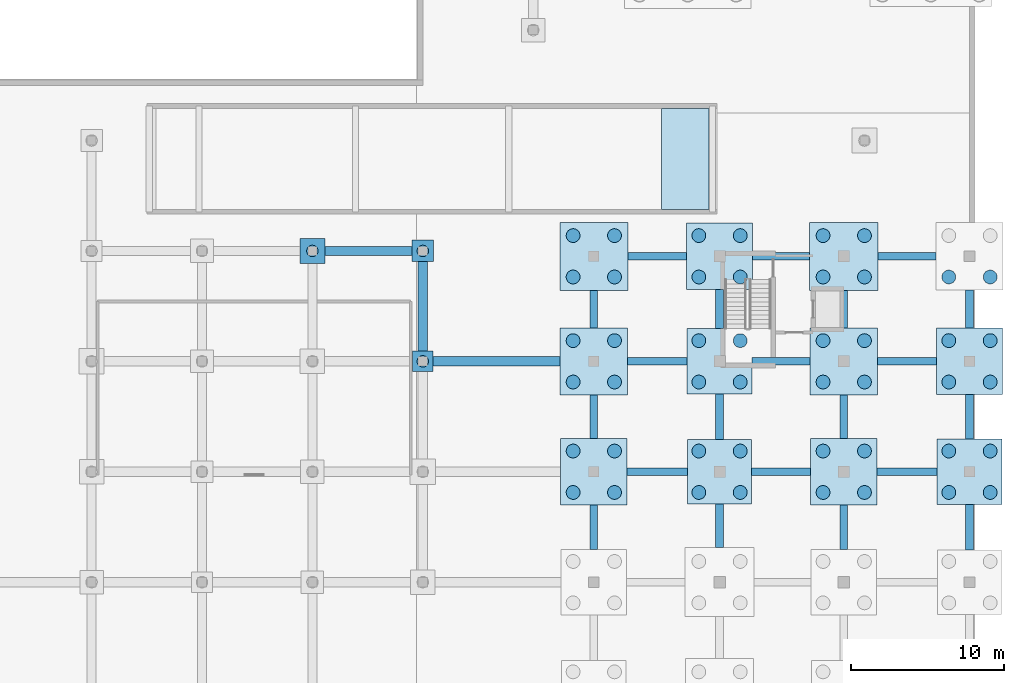
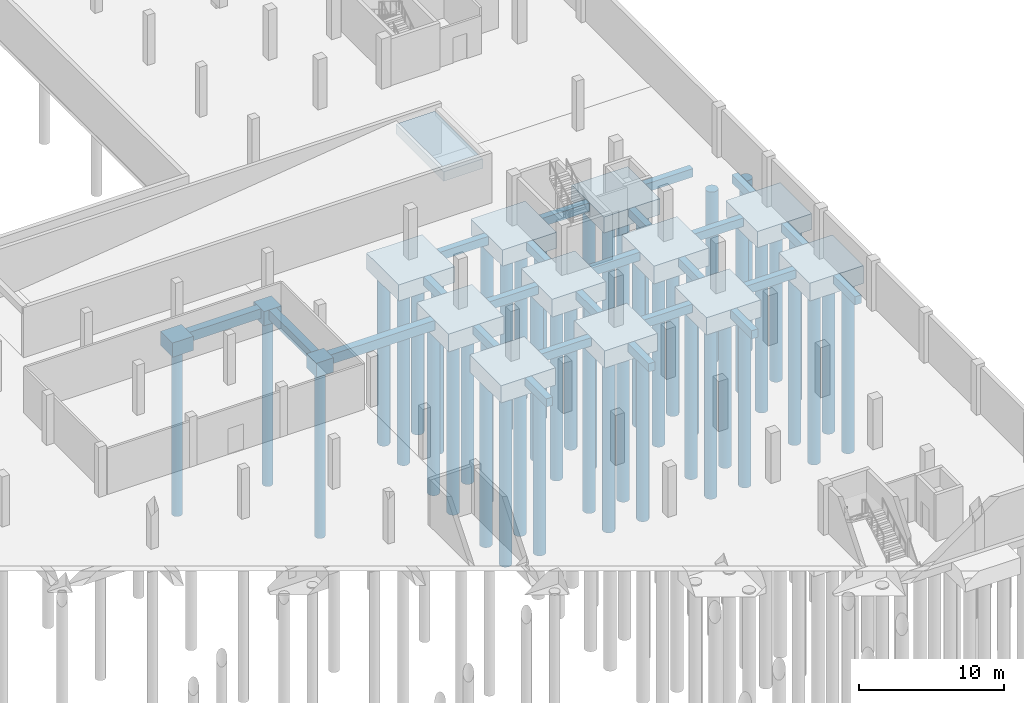
# One storey, part 11 of 36: 49 piles, 39 footings.
"""IFC4 building model written with IfcOpenShell, lengths in metres."""

from ifc_helpers import new_model, si_unit, derived_unit, direction, frame, origin, origin_2d, place, context, subcontext, project, spatial, polyline, rectangle, circle, outline, extrude, material, material_profile, profile_set, type_object, element, save


model = new_model("IFC4")

# Units and contexts
model_context = context("Model", 3, precision=1e-05, world=origin(), true_north=direction((0.0, 1.0)))
body_context = subcontext(model_context, "Body", "Model", "MODEL_VIEW")
ifc_project = project(units=[si_unit("LENGTHUNIT", "METRE"), si_unit("AREAUNIT", "SQUARE_METRE"), si_unit("VOLUMEUNIT", "CUBIC_METRE"), si_unit("PLANEANGLEUNIT", "RADIAN"), si_unit("MASSUNIT", "GRAM", prefix="KILO"), derived_unit("THERMALTRANSMITTANCEUNIT", [(si_unit("MASSUNIT", "GRAM", prefix="KILO"), 1), (si_unit("TIMEUNIT", "SECOND"), -3), (si_unit("THERMODYNAMICTEMPERATUREUNIT", "KELVIN"), -1)])], contexts=[model_context])

# Site, building, storey
site_placement = place(None, origin())
site = spatial("IfcSite", under=ifc_project, at=site_placement, CompositionType="ELEMENT")
building_placement = place(site_placement, origin())
building = spatial("IfcBuilding", under=site, at=building_placement, Name="Ochrekiln Boulevard Commons", CompositionType="ELEMENT")
storey_placement = place(building_placement, frame((0.0, 0.0, -4.199951171875)))
storey = spatial("IfcBuildingStorey", under=building, at=storey_placement, Name="B1", CompositionType="ELEMENT", Elevation=-4.199951171875)

# Footings
ifc_material = material(Name="Concrete C35/45", Category="concrete")
footing_type_1 = type_object("IfcFootingType", Name="CAP-RC-1350x1350x1200", PredefinedType="PILE_CAP", material=ifc_material)
footing_1_placement = place(storey_placement, frame((136.800048828125, 43.199951171875, -1.5), z_axis=(0.0, 0.0, 1.0), x_axis=(1.0, 0.0, 0.0)))
element("IfcFooting", 1, at=footing_1_placement, inside=storey, type_object=footing_type_1, Name="Reinforced Concrete Pile Cap PC-27 (168)", PredefinedType="PILE_CAP", context=body_context, shape_type="SweptSolid", body=[
    extrude(rectangle(XDim=1.35009765625, YDim=1.35009765625, at=origin_2d()), origin(), (0.0, 0.0, 1.0), 1.199951171875),
])
footing_type_2 = type_object("IfcFootingType", Name="CAP-RC-1410x1410x1200", PredefinedType="PILE_CAP", material=ifc_material)
footing_2_placement = place(storey_placement, frame((136.800048828125, 50.39990234375, -1.5), z_axis=(0.0, 0.0, 1.0), x_axis=(1.0, 0.0, 0.0)))
element("IfcFooting", 2, at=footing_2_placement, inside=storey, type_object=footing_type_2, Name="Reinforced Concrete Pile Cap PC-28 (169)", PredefinedType="PILE_CAP", context=body_context, shape_type="SweptSolid", body=[
    extrude(rectangle(XDim=1.409912109375, YDim=1.409912109375, at=origin_2d()), origin(), (0.0, 0.0, 1.0), 1.199951171875),
])
footing_type_3 = type_object("IfcFootingType", Name="CAP-RC-1650x1650x1200", PredefinedType="PILE_CAP", material=ifc_material)
footing_3_placement = place(storey_placement, frame((129.60009765625, 50.39990234375, -1.5), z_axis=(0.0, 0.0, 1.0), x_axis=(1.0, 0.0, 0.0)))
element("IfcFooting", 3, at=footing_3_placement, inside=storey, type_object=footing_type_3, Name="Reinforced Concrete Pile Cap PC-17 (161)", PredefinedType="PILE_CAP", context=body_context, shape_type="SweptSolid", body=[
    extrude(rectangle(XDim=1.64990234375, YDim=1.64990234375, at=origin_2d()), origin(), (0.0, 0.0, 1.0), 1.199951171875),
])
footing_type_4 = type_object("IfcFootingType", Name="CAP-RC-4200x4200x1450", PredefinedType="PILE_CAP", material=ifc_material)
footing_4_placement = place(storey_placement, frame((156.14990234375, 36.0, -1.75), z_axis=(0.0, 0.0, 1.0), x_axis=(1.0, 0.0, 0.0)))
element("IfcFooting", 4, at=footing_4_placement, inside=storey, type_object=footing_type_4, Name="Reinforced Concrete Pile Cap PC-51 (198)", PredefinedType="PILE_CAP", context=body_context, shape_type="SweptSolid", body=[
    extrude(rectangle(XDim=4.199951171875, YDim=4.199951171875, at=origin_2d()), origin(), (0.0, 0.0, 1.0), 1.449951171875),
])
footing_type_5 = type_object("IfcFootingType", Name="CAP-RC-4260x4260x1500", PredefinedType="PILE_CAP", material=ifc_material)
for number, where, z_axis, x_axis, name in (
    (5, (156.14990234375, 43.199951171875, -1.800048828125), (0.0, 0.0, 1.0), (1.0, 0.0, 0.0), "Reinforced Concrete Pile Cap PC-52 (199)"),
    (6, (172.449951171875, 36.0, -1.800048828125), (0.0, 0.0, 1.0), (1.0, 0.0, 0.0), "Reinforced Concrete Pile Cap PC-52 (223)"),
):
    element("IfcFooting", number, at=place(storey_placement, frame(where, z_axis=z_axis, x_axis=x_axis)), inside=storey, type_object=footing_type_5, Name=name, PredefinedType="PILE_CAP", context=body_context, shape_type="SweptSolid", body=[
        extrude(rectangle(XDim=4.260009765625, YDim=4.260009765625, at=origin_2d()), origin(), (0.0, 0.0, 1.0), 1.5),
    ])
footing_type_6 = type_object("IfcFootingType", Name="CAP-RC-4320x4320x1350", PredefinedType="PILE_CAP", material=ifc_material)
for number, where, z_axis, x_axis, name in (
    (7, (156.14990234375, 50.050048828125, -1.650146484375), (0.0, 0.0, 1.0), (1.0, 0.0, 0.0), "Reinforced Concrete Pile Cap PC-53 (200)"),
    (8, (172.449951171875, 43.199951171875, -1.650146484375), (0.0, 0.0, 1.0), (1.0, 0.0, 0.0), "Reinforced Concrete Pile Cap PC-53 (224)"),
):
    element("IfcFooting", number, at=place(storey_placement, frame(where, z_axis=z_axis, x_axis=x_axis)), inside=storey, type_object=footing_type_6, Name=name, PredefinedType="PILE_CAP", context=body_context, shape_type="SweptSolid", body=[
        extrude(rectangle(XDim=4.320068359375, YDim=4.320068359375, at=origin_2d()), origin(), (0.0, 0.0, 1.0), 1.35009765625),
    ])
footing_type_7 = type_object("IfcFootingType", Name="CAP-RC-4320x4320x1450", PredefinedType="PILE_CAP", material=ifc_material)
for number, where, z_axis, x_axis, name in (
    (9, (147.949951171875, 36.0, -1.75), (0.0, 0.0, 1.0), (1.0, 0.0, 0.0), "Reinforced Concrete Pile Cap PC-47 (182)"),
    (10, (164.25, 36.0, -1.75), (0.0, 0.0, 1.0), (1.0, 0.0, 0.0), "Reinforced Concrete Pile Cap PC-47 (206)"),
):
    element("IfcFooting", number, at=place(storey_placement, frame(where, z_axis=z_axis, x_axis=x_axis)), inside=storey, type_object=footing_type_7, Name=name, PredefinedType="PILE_CAP", context=body_context, shape_type="SweptSolid", body=[
        extrude(rectangle(XDim=4.320068359375, YDim=4.320068359375, at=origin_2d()), origin(), (0.0, 0.0, 1.0), 1.449951171875),
    ])
footing_type_8 = type_object("IfcFootingType", Name="CAP-RC-4380x4380x1500", PredefinedType="PILE_CAP", material=ifc_material)
for number, where, z_axis, x_axis, name in (
    (11, (147.949951171875, 43.199951171875, -1.800048828125), (0.0, 0.0, 1.0), (1.0, 0.0, 0.0), "Reinforced Concrete Pile Cap PC-48 (183)"),
    (12, (164.25, 43.199951171875, -1.800048828125), (0.0, 0.0, 1.0), (1.0, 0.0, 0.0), "Reinforced Concrete Pile Cap PC-48 (207)"),
):
    element("IfcFooting", number, at=place(storey_placement, frame(where, z_axis=z_axis, x_axis=x_axis)), inside=storey, type_object=footing_type_8, Name=name, PredefinedType="PILE_CAP", context=body_context, shape_type="SweptSolid", body=[
        extrude(rectangle(XDim=4.3798828125, YDim=4.3798828125, at=origin_2d()), origin(), (0.0, 0.0, 1.0), 1.5),
    ])
footing_type_9 = type_object("IfcFootingType", Name="CAP-RC-4440x4440x1350", PredefinedType="PILE_CAP", material=ifc_material)
for number, where, z_axis, x_axis, name in (
    (13, (147.949951171875, 50.050048828125, -1.650146484375), (0.0, 0.0, 1.0), (1.0, 0.0, 0.0), "Reinforced Concrete Pile Cap PC-49 (184)"),
    (14, (164.25, 50.050048828125, -1.650146484375), (0.0, 0.0, 1.0), (1.0, 0.0, 0.0), "Reinforced Concrete Pile Cap PC-49 (208)"),
):
    element("IfcFooting", number, at=place(storey_placement, frame(where, z_axis=z_axis, x_axis=x_axis)), inside=storey, type_object=footing_type_9, Name=name, PredefinedType="PILE_CAP", context=body_context, shape_type="SweptSolid", body=[
        extrude(rectangle(XDim=4.43994140625, YDim=4.43994140625, at=origin_2d()), origin(), (0.0, 0.0, 1.0), 1.35009765625),
    ])
footing_type_10 = type_object("IfcFootingType", Name="FTG-BEAM-500x700", PredefinedType="FOOTING_BEAM", material=ifc_material)
footing_5_placement = place(storey_placement, frame((0.0, 0.0, -1.0)))
element("IfcFooting", 15, at=footing_5_placement, inside=storey, type_object=footing_type_10, Name="Seismic Footing Tie Beam FB-5070 X-68", PredefinedType="FOOTING_BEAM", context=body_context, shape_type="SweptSolid", body=[
    extrude(outline(polyline([(150.110107421875, 35.75), (154.050048828125, 35.75), (154.050048828125, 36.25), (150.110107421875, 36.25), (150.110107421875, 35.75)])), origin(), (0.0, 0.0, 1.0), 0.699951171875),
])
footing_6_placement = place(storey_placement, frame((0.0, 0.0, -1.0)))
element("IfcFooting", 16, at=footing_6_placement, inside=storey, type_object=footing_type_10, Name="Seismic Footing Tie Beam FB-5070 X-69", PredefinedType="FOOTING_BEAM", context=body_context, shape_type="SweptSolid", body=[
    extrude(outline(polyline([(158.25, 35.75), (162.090087890625, 35.75), (162.090087890625, 36.25), (158.25, 36.25), (158.25, 35.75)])), origin(), (0.0, 0.0, 1.0), 0.699951171875),
])
footing_7_placement = place(storey_placement, frame((0.0, 0.0, -1.0)))
element("IfcFooting", 17, at=footing_7_placement, inside=storey, type_object=footing_type_10, Name="Seismic Footing Tie Beam FB-5070 X-70", PredefinedType="FOOTING_BEAM", context=body_context, shape_type="SweptSolid", body=[
    extrude(outline(polyline([(166.409912109375, 35.75), (170.320068359375, 35.75), (170.320068359375, 36.25), (166.409912109375, 36.25), (166.409912109375, 35.75)])), origin(), (0.0, 0.0, 1.0), 0.699951171875),
])
footing_8_placement = place(storey_placement, frame((0.0, 0.0, -1.0)))
element("IfcFooting", 18, at=footing_8_placement, inside=storey, type_object=footing_type_10, Name="Seismic Footing Tie Beam FB-5070 X-80", PredefinedType="FOOTING_BEAM", context=body_context, shape_type="SweptSolid", body=[
    extrude(outline(polyline([(150.139892578125, 42.949951171875), (154.02001953125, 42.949951171875), (154.02001953125, 43.449951171875), (150.139892578125, 43.449951171875), (150.139892578125, 42.949951171875)])), origin(), (0.0, 0.0, 1.0), 0.699951171875),
])
footing_9_placement = place(storey_placement, frame((0.0, 0.0, -1.0)))
element("IfcFooting", 19, at=footing_9_placement, inside=storey, type_object=footing_type_10, Name="Seismic Footing Tie Beam FB-5070 X-81", PredefinedType="FOOTING_BEAM", context=body_context, shape_type="SweptSolid", body=[
    extrude(outline(polyline([(158.280029296875, 42.949951171875), (162.06005859375, 42.949951171875), (162.06005859375, 43.449951171875), (158.280029296875, 43.449951171875), (158.280029296875, 42.949951171875)])), origin(), (0.0, 0.0, 1.0), 0.699951171875),
])
footing_10_placement = place(storey_placement, frame((0.0, 0.0, -1.0)))
element("IfcFooting", 20, at=footing_10_placement, inside=storey, type_object=footing_type_10, Name="Seismic Footing Tie Beam FB-5070 X-82", PredefinedType="FOOTING_BEAM", context=body_context, shape_type="SweptSolid", body=[
    extrude(outline(polyline([(166.43994140625, 42.949951171875), (170.2900390625, 42.949951171875), (170.2900390625, 43.449951171875), (166.43994140625, 43.449951171875), (166.43994140625, 42.949951171875)])), origin(), (0.0, 0.0, 1.0), 0.699951171875),
])
footing_11_placement = place(storey_placement, frame((0.0, 0.0, -1.0)))
element("IfcFooting", 21, at=footing_11_placement, inside=storey, type_object=footing_type_10, Name="Seismic Footing Tie Beam FB-5070 X-90", PredefinedType="FOOTING_BEAM", context=body_context, shape_type="SweptSolid", body=[
    extrude(outline(polyline([(150.169921875, 49.800048828125), (153.989990234375, 49.800048828125), (153.989990234375, 50.300048828125), (150.169921875, 50.300048828125), (150.169921875, 49.800048828125)])), origin(), (0.0, 0.0, 1.0), 0.699951171875),
])
footing_12_placement = place(storey_placement, frame((0.0, 0.0, -1.0)))
element("IfcFooting", 22, at=footing_12_placement, inside=storey, type_object=footing_type_10, Name="Seismic Footing Tie Beam FB-5070 X-91", PredefinedType="FOOTING_BEAM", context=body_context, shape_type="SweptSolid", body=[
    extrude(outline(polyline([(158.31005859375, 49.800048828125), (162.030029296875, 49.800048828125), (162.030029296875, 50.300048828125), (158.31005859375, 50.300048828125), (158.31005859375, 49.800048828125)])), origin(), (0.0, 0.0, 1.0), 0.699951171875),
])
footing_13_placement = place(storey_placement, frame((0.0, 0.0, -1.0)))
element("IfcFooting", 23, at=footing_13_placement, inside=storey, type_object=footing_type_10, Name="Seismic Footing Tie Beam FB-5070 X-92", PredefinedType="FOOTING_BEAM", context=body_context, shape_type="SweptSolid", body=[
    extrude(outline(polyline([(166.469970703125, 49.800048828125), (170.260009765625, 49.800048828125), (170.260009765625, 50.300048828125), (166.469970703125, 50.300048828125), (166.469970703125, 49.800048828125)])), origin(), (0.0, 0.0, 1.0), 0.699951171875),
])
footing_14_placement = place(storey_placement, frame((0.0, 0.0, -1.0)))
element("IfcFooting", 24, at=footing_14_placement, inside=storey, type_object=footing_type_10, Name="Seismic Footing Tie Beam FB-5070 Y-290", PredefinedType="FOOTING_BEAM", context=body_context, shape_type="SweptSolid", body=[
    extrude(outline(polyline([(147.699951171875, 30.929931640625), (148.199951171875, 30.929931640625), (148.199951171875, 33.840087890625), (147.699951171875, 33.840087890625), (147.699951171875, 30.929931640625)])), origin(), (0.0, 0.0, 1.0), 0.699951171875),
])
footing_15_placement = place(storey_placement, frame((0.0, 0.0, -1.0)))
element("IfcFooting", 25, at=footing_15_placement, inside=storey, type_object=footing_type_10, Name="Seismic Footing Tie Beam FB-5070 Y-291", PredefinedType="FOOTING_BEAM", context=body_context, shape_type="SweptSolid", body=[
    extrude(outline(polyline([(147.699951171875, 38.159912109375), (148.199951171875, 38.159912109375), (148.199951171875, 41.010009765625), (147.699951171875, 41.010009765625), (147.699951171875, 38.159912109375)])), origin(), (0.0, 0.0, 1.0), 0.699951171875),
])
footing_16_placement = place(storey_placement, frame((0.0, 0.0, -1.0)))
element("IfcFooting", 26, at=footing_16_placement, inside=storey, type_object=footing_type_10, Name="Seismic Footing Tie Beam FB-5070 Y-292", PredefinedType="FOOTING_BEAM", context=body_context, shape_type="SweptSolid", body=[
    extrude(outline(polyline([(147.699951171875, 45.389892578125), (148.199951171875, 45.389892578125), (148.199951171875, 47.830078125), (147.699951171875, 47.830078125), (147.699951171875, 45.389892578125)])), origin(), (0.0, 0.0, 1.0), 0.699951171875),
])
footing_17_placement = place(storey_placement, frame((0.0, 0.0, -1.0)))
element("IfcFooting", 27, at=footing_17_placement, inside=storey, type_object=footing_type_10, Name="Seismic Footing Tie Beam FB-5070 Y-304", PredefinedType="FOOTING_BEAM", context=body_context, shape_type="SweptSolid", body=[
    extrude(outline(polyline([(155.89990234375, 31.050048828125), (156.39990234375, 31.050048828125), (156.39990234375, 33.89990234375), (155.89990234375, 33.89990234375), (155.89990234375, 31.050048828125)])), origin(), (0.0, 0.0, 1.0), 0.699951171875),
])
footing_18_placement = place(storey_placement, frame((0.0, 0.0, -1.0)))
element("IfcFooting", 28, at=footing_18_placement, inside=storey, type_object=footing_type_10, Name="Seismic Footing Tie Beam FB-5070 Y-305", PredefinedType="FOOTING_BEAM", context=body_context, shape_type="SweptSolid", body=[
    extrude(outline(polyline([(155.89990234375, 38.10009765625), (156.39990234375, 38.10009765625), (156.39990234375, 41.070068359375), (155.89990234375, 41.070068359375), (155.89990234375, 38.10009765625)])), origin(), (0.0, 0.0, 1.0), 0.699951171875),
])
footing_19_placement = place(storey_placement, frame((0.0, 0.0, -1.0)))
element("IfcFooting", 29, at=footing_19_placement, inside=storey, type_object=footing_type_10, Name="Seismic Footing Tie Beam FB-5070 Y-306", PredefinedType="FOOTING_BEAM", context=body_context, shape_type="SweptSolid", body=[
    extrude(outline(polyline([(155.89990234375, 45.330078125), (156.39990234375, 45.330078125), (156.39990234375, 47.889892578125), (155.89990234375, 47.889892578125), (155.89990234375, 45.330078125)])), origin(), (0.0, 0.0, 1.0), 0.699951171875),
])
footing_20_placement = place(storey_placement, frame((0.0, 0.0, -1.0)))
element("IfcFooting", 30, at=footing_20_placement, inside=storey, type_object=footing_type_10, Name="Seismic Footing Tie Beam FB-5070 Y-311", PredefinedType="FOOTING_BEAM", context=body_context, shape_type="SweptSolid", body=[
    extrude(outline(polyline([(164.0, 30.929931640625), (164.5, 30.929931640625), (164.5, 33.840087890625), (164.0, 33.840087890625), (164.0, 30.929931640625)])), origin(), (0.0, 0.0, 1.0), 0.699951171875),
])
footing_21_placement = place(storey_placement, frame((0.0, 0.0, -1.0)))
element("IfcFooting", 31, at=footing_21_placement, inside=storey, type_object=footing_type_10, Name="Seismic Footing Tie Beam FB-5070 Y-312", PredefinedType="FOOTING_BEAM", context=body_context, shape_type="SweptSolid", body=[
    extrude(outline(polyline([(164.0, 38.159912109375), (164.5, 38.159912109375), (164.5, 41.010009765625), (164.0, 41.010009765625), (164.0, 38.159912109375)])), origin(), (0.0, 0.0, 1.0), 0.699951171875),
])
footing_22_placement = place(storey_placement, frame((0.0, 0.0, -1.0)))
element("IfcFooting", 32, at=footing_22_placement, inside=storey, type_object=footing_type_10, Name="Seismic Footing Tie Beam FB-5070 Y-313", PredefinedType="FOOTING_BEAM", context=body_context, shape_type="SweptSolid", body=[
    extrude(outline(polyline([(164.0, 45.389892578125), (164.5, 45.389892578125), (164.5, 47.830078125), (164.0, 47.830078125), (164.0, 45.389892578125)])), origin(), (0.0, 0.0, 1.0), 0.699951171875),
])
footing_23_placement = place(storey_placement, frame((0.0, 0.0, -1.0)))
element("IfcFooting", 33, at=footing_23_placement, inside=storey, type_object=footing_type_10, Name="Seismic Footing Tie Beam FB-5070 Y-325", PredefinedType="FOOTING_BEAM", context=body_context, shape_type="SweptSolid", body=[
    extrude(outline(polyline([(172.199951171875, 30.89990234375), (172.699951171875, 30.89990234375), (172.699951171875, 33.8701171875), (172.199951171875, 33.8701171875), (172.199951171875, 30.89990234375)])), origin(), (0.0, 0.0, 1.0), 0.699951171875),
])
footing_24_placement = place(storey_placement, frame((0.0, 0.0, -1.0)))
element("IfcFooting", 34, at=footing_24_placement, inside=storey, type_object=footing_type_10, Name="Seismic Footing Tie Beam FB-5070 Y-326", PredefinedType="FOOTING_BEAM", context=body_context, shape_type="SweptSolid", body=[
    extrude(outline(polyline([(172.199951171875, 38.1298828125), (172.699951171875, 38.1298828125), (172.699951171875, 41.0400390625), (172.199951171875, 41.0400390625), (172.199951171875, 38.1298828125)])), origin(), (0.0, 0.0, 1.0), 0.699951171875),
])
footing_25_placement = place(storey_placement, frame((0.0, 0.0, -1.0)))
element("IfcFooting", 35, at=footing_25_placement, inside=storey, type_object=footing_type_10, Name="Seismic Footing Tie Beam FB-5070 Y-327", PredefinedType="FOOTING_BEAM", context=body_context, shape_type="SweptSolid", body=[
    extrude(outline(polyline([(172.199951171875, 45.360107421875), (172.699951171875, 45.360107421875), (172.699951171875, 47.860107421875), (172.199951171875, 47.860107421875), (172.199951171875, 45.360107421875)])), origin(), (0.0, 0.0, 1.0), 0.699951171875),
])
footing_type_11 = type_object("IfcFootingType", Name="FTG-BEAM-600x800", PredefinedType="FOOTING_BEAM", material=ifc_material)
footing_26_placement = place(storey_placement, frame((0.0, 0.0, -1.10009765625)))
element("IfcFooting", 36, at=footing_26_placement, inside=storey, type_object=footing_type_11, Name="Seismic Footing Tie Beam FB-6080 X-79", PredefinedType="FOOTING_BEAM", context=body_context, shape_type="SweptSolid", body=[
    extrude(outline(polyline([(137.47509765625, 42.89990234375), (145.760009765625, 42.89990234375), (145.760009765625, 43.5), (137.47509765625, 43.5), (137.47509765625, 42.89990234375)])), origin(), (0.0, 0.0, 1.0), 0.800048828125),
])
footing_27_placement = place(storey_placement, frame((0.0, 0.0, -1.10009765625)))
element("IfcFooting", 37, at=footing_27_placement, inside=storey, type_object=footing_type_11, Name="Seismic Footing Tie Beam FB-6080 X-89", PredefinedType="FOOTING_BEAM", context=body_context, shape_type="SweptSolid", body=[
    extrude(outline(polyline([(130.425048828125, 50.10009765625), (136.094970703125, 50.10009765625), (136.094970703125, 50.699951171875), (130.425048828125, 50.699951171875), (130.425048828125, 50.10009765625)])), origin(), (0.0, 0.0, 1.0), 0.800048828125),
])
footing_28_placement = place(storey_placement, frame((0.0, 0.0, -1.10009765625)))
element("IfcFooting", 38, at=footing_28_placement, inside=storey, type_object=footing_type_11, Name="Seismic Footing Tie Beam FB-6080 Y-281", PredefinedType="FOOTING_BEAM", context=body_context, shape_type="SweptSolid", body=[
    extrude(outline(polyline([(136.5, 43.875), (137.10009765625, 43.875), (137.10009765625, 49.695068359375), (136.5, 49.695068359375), (136.5, 43.875)])), origin(), (0.0, 0.0, 1.0), 0.800048828125),
])
footing_29_placement = place(storey_placement, frame((0.0, 0.0, 2.89501953125)))
element("IfcFooting", 39, at=footing_29_placement, inside=storey, type_object=footing_type_11, Name="Seismic Footing Tie Beam FB-6080 Ramp Head", PredefinedType="FOOTING_BEAM", context=body_context, shape_type="SweptSolid", body=[
    extrude(outline(polyline([(152.35009765625, 53.10009765625), (155.449951171875, 53.10009765625), (155.449951171875, 59.699951171875), (152.35009765625, 59.699951171875), (152.35009765625, 53.10009765625)])), origin(), (0.0, 0.0, 1.0), 0.800048828125),
])

# Piles
ifc_material_profile_1 = material_profile(ifc_material, circle(Radius=0.375, at=origin_2d()), Name="PILE-D750")
ifc_profile_set_1 = profile_set([ifc_material_profile_1], Name="Concrete C35/45")
pile_type_1 = type_object("IfcPileType", Name="PILE-BORED-750", PredefinedType="BORED", material=ifc_profile_set_1)
for number, where, z_axis, x_axis, name in (
    (40, (129.60009765625, 50.39990234375, -1.400146484375), (0.0, 0.0, -1.0), (1.0, 0.0, 0.0), "Caliche-Socketed Bored Pile BP-750 (161.1)"),
    (41, (136.800048828125, 43.199951171875, -1.400146484375), (0.0, 0.0, -1.0), (1.0, 0.0, 0.0), "Caliche-Socketed Bored Pile BP-750 (168.1)"),
    (42, (136.800048828125, 50.39990234375, -1.400146484375), (0.0, 0.0, -1.0), (1.0, 0.0, 0.0), "Caliche-Socketed Bored Pile BP-750 (169.1)"),
):
    element("IfcPile", number, at=place(storey_placement, frame(where, z_axis=z_axis, x_axis=x_axis)), inside=storey, type_object=pile_type_1, Name=name, PredefinedType="BORED", context=body_context, shape_type="SweptSolid", body=[
        extrude(circle(Radius=0.375, at=origin_2d()), origin(), (0.0, 0.0, 1.0), 14.0),
    ])
ifc_material_profile_2 = material_profile(ifc_material, circle(Radius=0.449951171875, at=origin_2d()), Name="PILE-D900")
ifc_profile_set_2 = profile_set([ifc_material_profile_2], Name="Concrete C35/45")
pile_type_2 = type_object("IfcPileType", Name="PILE-BORED-900", PredefinedType="BORED", material=ifc_profile_set_2)
for number, where, z_axis, x_axis, name in (
    (43, (146.60009765625, 34.64990234375, -1.650146484375), (0.0, 0.0, -1.0), (1.0, 0.0, 0.0), "Caliche-Socketed Bored Pile BP-900 (182.1)"),
    (44, (146.60009765625, 37.35009765625, -1.650146484375), (0.0, 0.0, -1.0), (1.0, 0.0, 0.0), "Caliche-Socketed Bored Pile BP-900 (182.2)"),
    (45, (149.300048828125, 34.64990234375, -1.650146484375), (0.0, 0.0, -1.0), (1.0, 0.0, 0.0), "Caliche-Socketed Bored Pile BP-900 (182.3)"),
    (46, (149.300048828125, 37.35009765625, -1.650146484375), (0.0, 0.0, -1.0), (1.0, 0.0, 0.0), "Caliche-Socketed Bored Pile BP-900 (182.4)"),
):
    element("IfcPile", number, at=place(storey_placement, frame(where, z_axis=z_axis, x_axis=x_axis)), inside=storey, type_object=pile_type_2, Name=name, PredefinedType="BORED", context=body_context, shape_type="SweptSolid", body=[
        extrude(circle(Radius=0.449951171875, at=origin_2d()), origin(), (0.0, 0.0, 1.0), 14.35009765625),
    ])
for number, where, z_axis, x_axis, name in (
    (47, (146.60009765625, 41.85009765625, -1.699951171875), (0.0, 0.0, -1.0), (1.0, 0.0, 0.0), "Caliche-Socketed Bored Pile BP-900 (183.1)"),
    (48, (146.60009765625, 44.550048828125, -1.699951171875), (0.0, 0.0, -1.0), (1.0, 0.0, 0.0), "Caliche-Socketed Bored Pile BP-900 (183.2)"),
    (49, (149.300048828125, 41.85009765625, -1.699951171875), (0.0, 0.0, -1.0), (1.0, 0.0, 0.0), "Caliche-Socketed Bored Pile BP-900 (183.3)"),
    (50, (149.300048828125, 44.550048828125, -1.699951171875), (0.0, 0.0, -1.0), (1.0, 0.0, 0.0), "Caliche-Socketed Bored Pile BP-900 (183.4)"),
):
    element("IfcPile", number, at=place(storey_placement, frame(where, z_axis=z_axis, x_axis=x_axis)), inside=storey, type_object=pile_type_2, Name=name, PredefinedType="BORED", context=body_context, shape_type="SweptSolid", body=[
        extrude(circle(Radius=0.449951171875, at=origin_2d()), origin(), (0.0, 0.0, 1.0), 14.300048828125),
    ])
for number, where, z_axis, x_axis, name in (
    (51, (146.60009765625, 48.699951171875, -1.550048828125), (0.0, 0.0, -1.0), (1.0, 0.0, 0.0), "Caliche-Socketed Bored Pile BP-900 (184.1)"),
    (52, (146.60009765625, 51.39990234375, -1.550048828125), (0.0, 0.0, -1.0), (1.0, 0.0, 0.0), "Caliche-Socketed Bored Pile BP-900 (184.2)"),
    (53, (149.300048828125, 48.699951171875, -1.550048828125), (0.0, 0.0, -1.0), (1.0, 0.0, 0.0), "Caliche-Socketed Bored Pile BP-900 (184.3)"),
    (54, (149.300048828125, 51.39990234375, -1.550048828125), (0.0, 0.0, -1.0), (1.0, 0.0, 0.0), "Caliche-Socketed Bored Pile BP-900 (184.4)"),
):
    element("IfcPile", number, at=place(storey_placement, frame(where, z_axis=z_axis, x_axis=x_axis)), inside=storey, type_object=pile_type_2, Name=name, PredefinedType="BORED", context=body_context, shape_type="SweptSolid", body=[
        extrude(circle(Radius=0.449951171875, at=origin_2d()), origin(), (0.0, 0.0, 1.0), 14.449951171875),
    ])
for number, where, z_axis, x_axis, name in (
    (55, (154.800048828125, 34.64990234375, -1.650146484375), (0.0, 0.0, -1.0), (1.0, 0.0, 0.0), "Caliche-Socketed Bored Pile BP-900 (198.1)"),
    (56, (154.800048828125, 37.35009765625, -1.650146484375), (0.0, 0.0, -1.0), (1.0, 0.0, 0.0), "Caliche-Socketed Bored Pile BP-900 (198.2)"),
    (57, (157.5, 34.64990234375, -1.650146484375), (0.0, 0.0, -1.0), (1.0, 0.0, 0.0), "Caliche-Socketed Bored Pile BP-900 (198.3)"),
    (58, (157.5, 37.35009765625, -1.650146484375), (0.0, 0.0, -1.0), (1.0, 0.0, 0.0), "Caliche-Socketed Bored Pile BP-900 (198.4)"),
):
    element("IfcPile", number, at=place(storey_placement, frame(where, z_axis=z_axis, x_axis=x_axis)), inside=storey, type_object=pile_type_2, Name=name, PredefinedType="BORED", context=body_context, shape_type="SweptSolid", body=[
        extrude(circle(Radius=0.449951171875, at=origin_2d()), origin(), (0.0, 0.0, 1.0), 14.35009765625),
    ])
for number, where, z_axis, x_axis, name in (
    (59, (154.800048828125, 41.85009765625, -1.699951171875), (0.0, 0.0, -1.0), (1.0, 0.0, 0.0), "Caliche-Socketed Bored Pile BP-900 (199.1)"),
    (60, (154.800048828125, 44.550048828125, -1.699951171875), (0.0, 0.0, -1.0), (1.0, 0.0, 0.0), "Caliche-Socketed Bored Pile BP-900 (199.2)"),
    (61, (157.5, 41.85009765625, -1.699951171875), (0.0, 0.0, -1.0), (1.0, 0.0, 0.0), "Caliche-Socketed Bored Pile BP-900 (199.3)"),
    (62, (157.5, 44.550048828125, -1.699951171875), (0.0, 0.0, -1.0), (1.0, 0.0, 0.0), "Caliche-Socketed Bored Pile BP-900 (199.4)"),
):
    element("IfcPile", number, at=place(storey_placement, frame(where, z_axis=z_axis, x_axis=x_axis)), inside=storey, type_object=pile_type_2, Name=name, PredefinedType="BORED", context=body_context, shape_type="SweptSolid", body=[
        extrude(circle(Radius=0.449951171875, at=origin_2d()), origin(), (0.0, 0.0, 1.0), 14.300048828125),
    ])
for number, where, z_axis, x_axis, name in (
    (63, (154.800048828125, 48.699951171875, -1.550048828125), (0.0, 0.0, -1.0), (1.0, 0.0, 0.0), "Caliche-Socketed Bored Pile BP-900 (200.1)"),
    (64, (154.800048828125, 51.39990234375, -1.550048828125), (0.0, 0.0, -1.0), (1.0, 0.0, 0.0), "Caliche-Socketed Bored Pile BP-900 (200.2)"),
    (65, (157.5, 48.699951171875, -1.550048828125), (0.0, 0.0, -1.0), (1.0, 0.0, 0.0), "Caliche-Socketed Bored Pile BP-900 (200.3)"),
    (66, (157.5, 51.39990234375, -1.550048828125), (0.0, 0.0, -1.0), (1.0, 0.0, 0.0), "Caliche-Socketed Bored Pile BP-900 (200.4)"),
):
    element("IfcPile", number, at=place(storey_placement, frame(where, z_axis=z_axis, x_axis=x_axis)), inside=storey, type_object=pile_type_2, Name=name, PredefinedType="BORED", context=body_context, shape_type="SweptSolid", body=[
        extrude(circle(Radius=0.449951171875, at=origin_2d()), origin(), (0.0, 0.0, 1.0), 14.449951171875),
    ])
for number, where, z_axis, x_axis, name in (
    (67, (162.89990234375, 34.64990234375, -1.650146484375), (0.0, 0.0, -1.0), (1.0, 0.0, 0.0), "Caliche-Socketed Bored Pile BP-900 (206.1)"),
    (68, (162.89990234375, 37.35009765625, -1.650146484375), (0.0, 0.0, -1.0), (1.0, 0.0, 0.0), "Caliche-Socketed Bored Pile BP-900 (206.2)"),
    (69, (165.60009765625, 34.64990234375, -1.650146484375), (0.0, 0.0, -1.0), (1.0, 0.0, 0.0), "Caliche-Socketed Bored Pile BP-900 (206.3)"),
    (70, (165.60009765625, 37.35009765625, -1.650146484375), (0.0, 0.0, -1.0), (1.0, 0.0, 0.0), "Caliche-Socketed Bored Pile BP-900 (206.4)"),
):
    element("IfcPile", number, at=place(storey_placement, frame(where, z_axis=z_axis, x_axis=x_axis)), inside=storey, type_object=pile_type_2, Name=name, PredefinedType="BORED", context=body_context, shape_type="SweptSolid", body=[
        extrude(circle(Radius=0.449951171875, at=origin_2d()), origin(), (0.0, 0.0, 1.0), 14.35009765625),
    ])
for number, where, z_axis, x_axis, name in (
    (71, (162.89990234375, 41.85009765625, -1.699951171875), (0.0, 0.0, -1.0), (1.0, 0.0, 0.0), "Caliche-Socketed Bored Pile BP-900 (207.1)"),
    (72, (162.89990234375, 44.550048828125, -1.699951171875), (0.0, 0.0, -1.0), (1.0, 0.0, 0.0), "Caliche-Socketed Bored Pile BP-900 (207.2)"),
    (73, (165.60009765625, 41.85009765625, -1.699951171875), (0.0, 0.0, -1.0), (1.0, 0.0, 0.0), "Caliche-Socketed Bored Pile BP-900 (207.3)"),
    (74, (165.60009765625, 44.550048828125, -1.699951171875), (0.0, 0.0, -1.0), (1.0, 0.0, 0.0), "Caliche-Socketed Bored Pile BP-900 (207.4)"),
):
    element("IfcPile", number, at=place(storey_placement, frame(where, z_axis=z_axis, x_axis=x_axis)), inside=storey, type_object=pile_type_2, Name=name, PredefinedType="BORED", context=body_context, shape_type="SweptSolid", body=[
        extrude(circle(Radius=0.449951171875, at=origin_2d()), origin(), (0.0, 0.0, 1.0), 14.300048828125),
    ])
for number, where, z_axis, x_axis, name in (
    (75, (162.89990234375, 48.699951171875, -1.550048828125), (0.0, 0.0, -1.0), (1.0, 0.0, 0.0), "Caliche-Socketed Bored Pile BP-900 (208.1)"),
    (76, (162.89990234375, 51.39990234375, -1.550048828125), (0.0, 0.0, -1.0), (1.0, 0.0, 0.0), "Caliche-Socketed Bored Pile BP-900 (208.2)"),
    (77, (165.60009765625, 48.699951171875, -1.550048828125), (0.0, 0.0, -1.0), (1.0, 0.0, 0.0), "Caliche-Socketed Bored Pile BP-900 (208.3)"),
    (78, (165.60009765625, 51.39990234375, -1.550048828125), (0.0, 0.0, -1.0), (1.0, 0.0, 0.0), "Caliche-Socketed Bored Pile BP-900 (208.4)"),
):
    element("IfcPile", number, at=place(storey_placement, frame(where, z_axis=z_axis, x_axis=x_axis)), inside=storey, type_object=pile_type_2, Name=name, PredefinedType="BORED", context=body_context, shape_type="SweptSolid", body=[
        extrude(circle(Radius=0.449951171875, at=origin_2d()), origin(), (0.0, 0.0, 1.0), 14.449951171875),
    ])
for number, where, z_axis, x_axis, name in (
    (79, (171.10009765625, 34.64990234375, -1.699951171875), (0.0, 0.0, -1.0), (1.0, 0.0, 0.0), "Caliche-Socketed Bored Pile BP-900 (223.1)"),
    (80, (171.10009765625, 37.35009765625, -1.699951171875), (0.0, 0.0, -1.0), (1.0, 0.0, 0.0), "Caliche-Socketed Bored Pile BP-900 (223.2)"),
    (81, (173.800048828125, 34.64990234375, -1.699951171875), (0.0, 0.0, -1.0), (1.0, 0.0, 0.0), "Caliche-Socketed Bored Pile BP-900 (223.3)"),
    (82, (173.800048828125, 37.35009765625, -1.699951171875), (0.0, 0.0, -1.0), (1.0, 0.0, 0.0), "Caliche-Socketed Bored Pile BP-900 (223.4)"),
):
    element("IfcPile", number, at=place(storey_placement, frame(where, z_axis=z_axis, x_axis=x_axis)), inside=storey, type_object=pile_type_2, Name=name, PredefinedType="BORED", context=body_context, shape_type="SweptSolid", body=[
        extrude(circle(Radius=0.449951171875, at=origin_2d()), origin(), (0.0, 0.0, 1.0), 14.300048828125),
    ])
for number, where, z_axis, x_axis, name in (
    (83, (171.10009765625, 41.85009765625, -1.550048828125), (0.0, 0.0, -1.0), (1.0, 0.0, 0.0), "Caliche-Socketed Bored Pile BP-900 (224.1)"),
    (84, (171.10009765625, 44.550048828125, -1.550048828125), (0.0, 0.0, -1.0), (1.0, 0.0, 0.0), "Caliche-Socketed Bored Pile BP-900 (224.2)"),
    (85, (173.800048828125, 41.85009765625, -1.550048828125), (0.0, 0.0, -1.0), (1.0, 0.0, 0.0), "Caliche-Socketed Bored Pile BP-900 (224.3)"),
    (86, (173.800048828125, 44.550048828125, -1.550048828125), (0.0, 0.0, -1.0), (1.0, 0.0, 0.0), "Caliche-Socketed Bored Pile BP-900 (224.4)"),
):
    element("IfcPile", number, at=place(storey_placement, frame(where, z_axis=z_axis, x_axis=x_axis)), inside=storey, type_object=pile_type_2, Name=name, PredefinedType="BORED", context=body_context, shape_type="SweptSolid", body=[
        extrude(circle(Radius=0.449951171875, at=origin_2d()), origin(), (0.0, 0.0, 1.0), 14.449951171875),
    ])
for number, where, z_axis, x_axis, name in (
    (87, (171.10009765625, 48.699951171875, -1.60009765625), (0.0, 0.0, -1.0), (1.0, 0.0, 0.0), "Caliche-Socketed Bored Pile BP-900 (225.1)"),
    (88, (173.800048828125, 48.699951171875, -1.60009765625), (0.0, 0.0, -1.0), (1.0, 0.0, 0.0), "Caliche-Socketed Bored Pile BP-900 (225.3)"),
):
    element("IfcPile", number, at=place(storey_placement, frame(where, z_axis=z_axis, x_axis=x_axis)), inside=storey, type_object=pile_type_2, Name=name, PredefinedType="BORED", context=body_context, shape_type="SweptSolid", body=[
        extrude(circle(Radius=0.449951171875, at=origin_2d()), origin(), (0.0, 0.0, 1.0), 14.39990234375),
    ])

save(model, "model.ifc")
